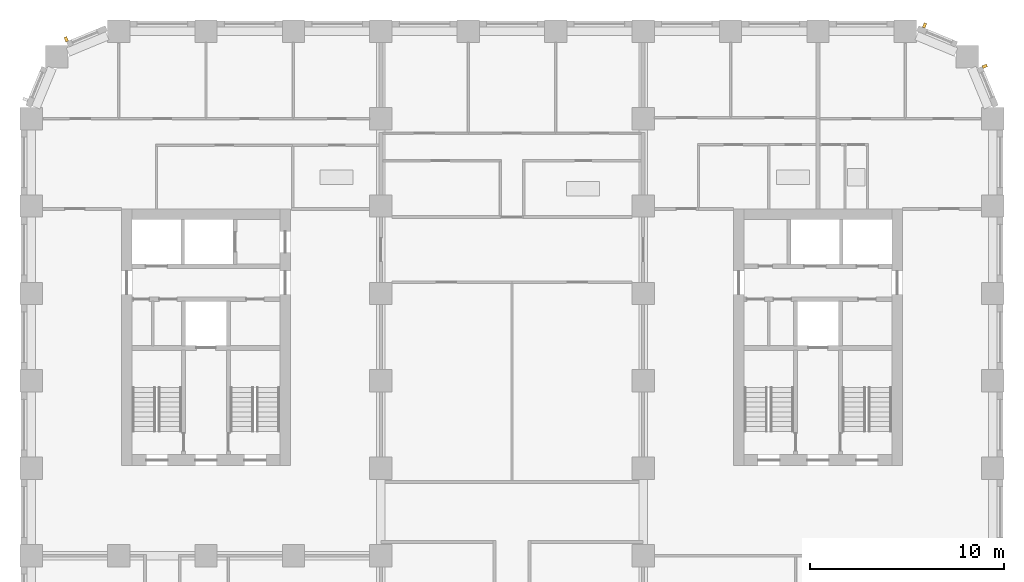
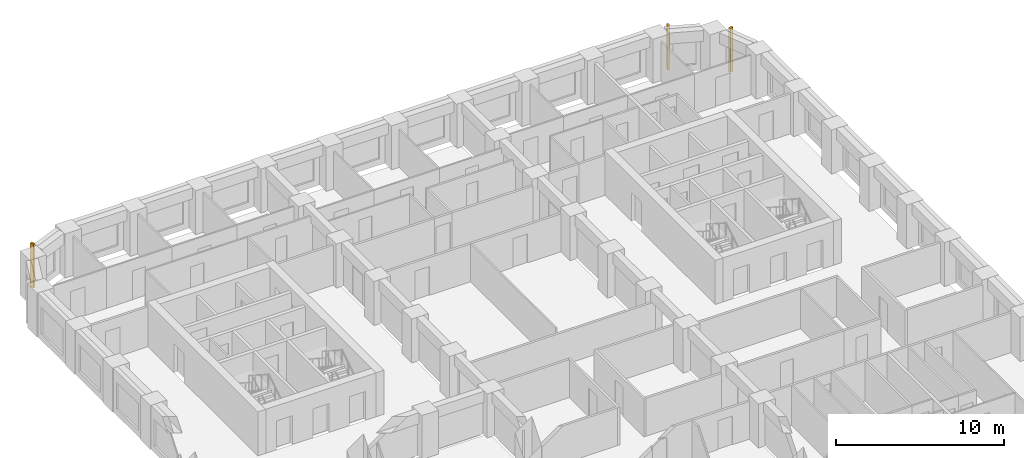
# One storey, part 12 of 13: 3 shading devices.
"""IFC4 building model written with IfcOpenShell, lengths in metres."""

from ifc_helpers import new_model, si_unit, direction, frame, origin, origin_2d, place, context, subcontext, project, spatial, rectangle, extrude, material, type_object, element, save


model = new_model("IFC4")

# Units and contexts
model_context = context("Model", 3, precision=1e-05, world=origin(), true_north=direction((0.0, 1.0)))
body_context = subcontext(model_context, "Body", "Model", "MODEL_VIEW")
ifc_project = project(units=[si_unit("LENGTHUNIT", "METRE"), si_unit("AREAUNIT", "SQUARE_METRE"), si_unit("VOLUMEUNIT", "CUBIC_METRE"), si_unit("PLANEANGLEUNIT", "RADIAN"), si_unit("MASSUNIT", "GRAM", prefix="KILO")], contexts=[model_context])

# Site, building, storey
site_placement = place(None, origin())
site = spatial("IfcSite", under=ifc_project, at=site_placement, CompositionType="ELEMENT")
building_placement = place(site_placement, origin())
building = spatial("IfcBuilding", under=site, at=building_placement, Name="Girih Gate Residences", CompositionType="ELEMENT")
storey_placement = place(building_placement, frame((0.0, 0.0, 86.39990234375)))
storey = spatial("IfcBuildingStorey", under=building, at=storey_placement, Name="L23", CompositionType="ELEMENT", Elevation=86.39990234375)

# Shading devices
ifc_material = material(Name="Precast concrete C50/60", Category="concrete")
shading_device_type = type_object("IfcShadingDeviceType", Name="Corner rib 150x250", PredefinedType="USERDEFINED", material=ifc_material)
for number, where, z_axis, x_axis, name in (
    (1, (49.087646484375, 47.6943359375, 0.0), (0.0, 0.0, 1.0), (-0.382683432365, 0.923879532511, 0.0), "Corner rib NE0495_0450.0"),
    (2, (45.985107421875, 49.79541015625, 0.0), (0.0, 0.0, 1.0), (-0.923879532511, 0.382683432365, 0.0), "Corner rib NE0482_0482.0"),
    (3, (1.8056640625, 49.087646484375, 0.0), (0.0, 0.0, 1.0), (-0.923879532511, -0.382683432365, 0.0), "Corner rib NW0045_0495.0"),
):
    element("IfcShadingDevice", number, at=place(storey_placement, frame(where, z_axis=z_axis, x_axis=x_axis)), inside=storey, type_object=shading_device_type, Name=name, ObjectType="FIN", PredefinedType="USERDEFINED", context=body_context, shape_type="SweptSolid", body=[
        extrude(rectangle(XDim=0.14990234375, YDim=0.25, at=origin_2d()), origin(), (0.0, 0.0, 1.0), 3.199951171875),
    ])

save(model, "model.ifc")
